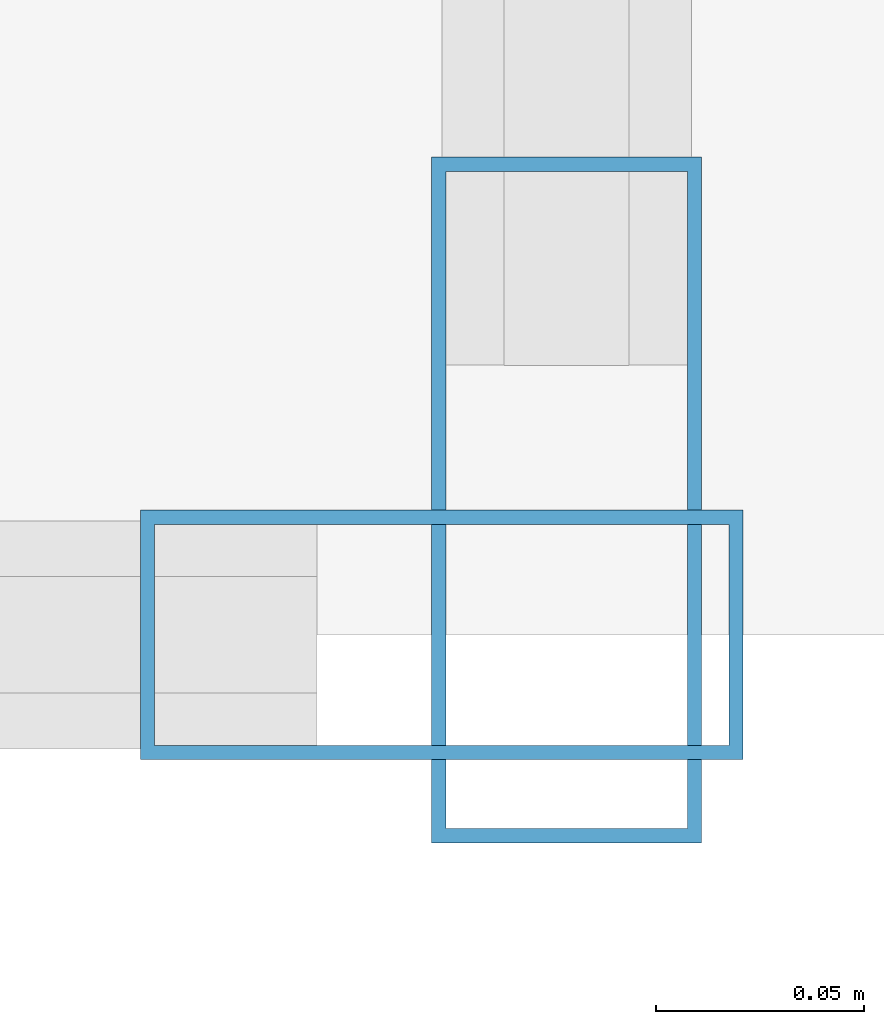
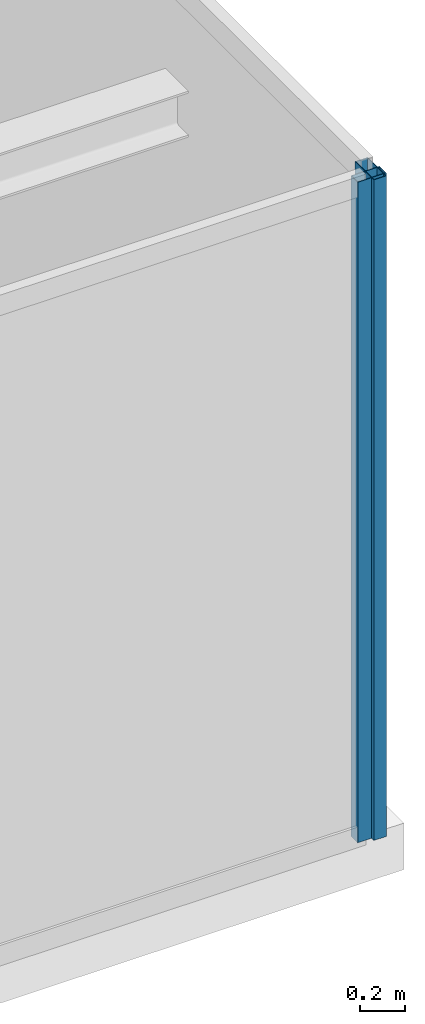
# One storey, part 13 of 25: 2 members, 2 elements without a shape of their own.
"""IFC4 building model written with IfcOpenShell, lengths in metres."""

import ifcopenshell
import ifcopenshell.guid

model = None  # the IFC model being written
_history = None  # IfcOwnerHistory: only IFC2X3 demands one
_inside = {}  # id of a spatial element -> (the spatial element, [elements in it])
_under = {}  # id of a project, library or spatial element -> (it, [spatial elements below it])
_declared = {}  # id of a project -> (the project, [libraries it declares])
_typed = {}  # id of a type object -> (the type object, [elements of that type])
_made_of = {}  # id of a material, layer set ... -> (it, [elements and type objects made of it])


def new_model(schema):
    """Start an empty IFC model of exactly this schema.

    Asked for "IFC4X3", IfcOpenShell would pick the latest addendum, in which some entities
    have other attributes; the version numbers below select the first issue.
    IFC2X3 requires an IfcOwnerHistory on every rooted entity: one is made here for all.
    """
    global model, _history
    if schema == "IFC4X3":
        model = ifcopenshell.file(schema_version=(4, 3, 0, 0))
    else:
        model = ifcopenshell.file(schema=schema)
    _inside.clear()
    _under.clear()
    _declared.clear()
    _typed.clear()
    _made_of.clear()
    _history = None
    if model.schema == "IFC2X3":
        org = make("IfcOrganization", Name="unknown")
        user = make(
            "IfcPersonAndOrganization",
            ThePerson=make("IfcPerson", FamilyName="unknown"),
            TheOrganization=org,
        )
        app = make(
            "IfcApplication",
            ApplicationDeveloper=org,
            Version="unknown",
            ApplicationFullName="unknown",
            ApplicationIdentifier="unknown",
        )
        _history = make(
            "IfcOwnerHistory",
            OwningUser=user,
            OwningApplication=app,
            ChangeAction="ADDED",
            CreationDate=0,
        )
    return model


def make(cls, **values):
    """One entity of the class cls with the attributes given. An attribute that is None is left unset."""
    return model.create_entity(
        cls, **{name: value for name, value in values.items() if value is not None}
    )


def rooted(cls, **values):
    """An entity with a GlobalId (a new one), such as an element, a storey or a relation."""
    return make(cls, GlobalId=ifcopenshell.guid.new(), OwnerHistory=_history, **values)


def si_unit(unit_type, name, prefix=None):
    """IfcSIUnit, for example si_unit("LENGTHUNIT", "METRE", prefix="MILLI")."""
    return make("IfcSIUnit", UnitType=unit_type, Prefix=prefix, Name=name)


def assignment(units):
    """IfcUnitAssignment: the units of a project."""
    return None if units is None else make("IfcUnitAssignment", Units=units)


def point(xyz):
    """IfcCartesianPoint."""
    return None if xyz is None else make("IfcCartesianPoint", Coordinates=xyz)


def direction(xyz):
    """IfcDirection."""
    return None if xyz is None else make("IfcDirection", DirectionRatios=xyz)


def frame(location, z_axis=None, x_axis=None):
    """IfcAxis2Placement3D, a coordinate frame: its origin and axes. An axis left out is left unset."""
    return make(
        "IfcAxis2Placement3D",
        Location=point(location),
        Axis=direction(z_axis),
        RefDirection=direction(x_axis),
    )


def frame_2d(location, x_axis=None):
    """IfcAxis2Placement2D, a coordinate frame in the plane: its origin and x axis."""
    return make(
        "IfcAxis2Placement2D", Location=point(location), RefDirection=direction(x_axis)
    )


def origin():
    """The frame at (0, 0, 0) with its axes left unset."""
    return frame((0.0, 0.0, 0.0))


def origin_2d():
    """The frame at (0, 0) in the plane with its x axis left unset."""
    return frame_2d((0.0, 0.0))


def place(relative_to, where):
    """IfcLocalPlacement: puts the frame where relative to a parent placement (None: the world)."""
    return make(
        "IfcLocalPlacement", PlacementRelTo=relative_to, RelativePlacement=where
    )


def context(
    kind, dimensions, precision=None, world=None, true_north=None, identifier=None
):
    """IfcGeometricRepresentationContext, for example the 3D "Model" context."""
    return make(
        "IfcGeometricRepresentationContext",
        ContextIdentifier=identifier,
        ContextType=kind,
        CoordinateSpaceDimension=dimensions,
        Precision=precision,
        WorldCoordinateSystem=world,
        TrueNorth=true_north,
    )


def subcontext(parent, identifier, kind, view, scale=None):
    """IfcGeometricRepresentationSubContext, for example "Body" below "Model"."""
    return make(
        "IfcGeometricRepresentationSubContext",
        ContextIdentifier=identifier,
        ContextType=kind,
        ParentContext=parent,
        TargetScale=scale,
        TargetView=view,
    )


def project(units=None, contexts=None):
    """IfcProject with its units and contexts."""
    return rooted(
        "IfcProject",
        Name="project",
        RepresentationContexts=contexts,
        UnitsInContext=assignment(units),
    )


def spatial(cls, under=None, at=None, **own):
    """A site, building, storey or space (cls), placed at a placement, below another one or the project."""
    s = rooted(cls, ObjectPlacement=at, **own)
    if under is not None:
        _under.setdefault(under.id(), (under, []))[1].append(s)
    return s


def profile(cls, at=None, kind="AREA", **sizes):
    """A parametric profile (cls). Its sizes go by their IFC names, for example OverallWidth=200.0."""
    return make(cls, ProfileType=kind, Position=at, **sizes)


def hollow_rectangle(**sizes):
    """IfcRectangleHollowProfileDef."""
    return profile("IfcRectangleHollowProfileDef", **sizes)


def extrude(swept, where, along, depth):
    """IfcExtrudedAreaSolid: the profile swept, set in the frame where, extruded along a direction by depth."""
    return make(
        "IfcExtrudedAreaSolid",
        SweptArea=swept,
        Position=where,
        ExtrudedDirection=direction(along),
        Depth=depth,
    )


def shape(context_of_items, identifier, shape_type, items):
    """IfcShapeRepresentation: the items that make up one representation, for example the "Body"."""
    return make(
        "IfcShapeRepresentation",
        ContextOfItems=context_of_items,
        RepresentationIdentifier=identifier,
        RepresentationType=shape_type,
        Items=items,
    )


def source(mapping_origin, context_of_items, identifier, shape_type, items):
    """IfcRepresentationMap: a shape defined once, which mapped items show again and again."""
    return make(
        "IfcRepresentationMap",
        MappingOrigin=mapping_origin,
        MappedRepresentation=shape(context_of_items, identifier, shape_type, items),
    )


def transform(
    local_origin,
    x_axis=None,
    y_axis=None,
    z_axis=None,
    scale=None,
    scale2=None,
    scale3=None,
    uniform=True,
):
    """IfcCartesianTransformationOperator3D, or its non-uniform kind. x_axis, y_axis, z_axis: its Axis1, 2, 3."""
    if uniform:
        return make(
            "IfcCartesianTransformationOperator3D",
            Axis1=direction(x_axis),
            Axis2=direction(y_axis),
            LocalOrigin=point(local_origin),
            Scale=scale,
            Axis3=direction(z_axis),
        )
    return make(
        "IfcCartesianTransformationOperator3DnonUniform",
        Axis1=direction(x_axis),
        Axis2=direction(y_axis),
        LocalOrigin=point(local_origin),
        Scale=scale,
        Axis3=direction(z_axis),
        Scale2=scale2,
        Scale3=scale3,
    )


def mapped(mapping_source, mapping_target):
    """IfcMappedItem: shows the shape of a source again, moved by a transform."""
    return make(
        "IfcMappedItem", MappingSource=mapping_source, MappingTarget=mapping_target
    )


def material(Name=None, Category=None):
    """IfcMaterial."""
    return make("IfcMaterial", Name=Name, Category=Category)


def layer(
    of_material, thickness, ventilated=None, Name=None, Category=None, Priority=None
):
    """IfcMaterialLayer: one layer of a wall or slab, of a material (None: an air gap)."""
    return make(
        "IfcMaterialLayer",
        Material=of_material,
        LayerThickness=thickness,
        IsVentilated=ventilated,
        Name=Name,
        Category=Category,
        Priority=Priority,
    )


def layer_set(layers, Name=None):
    """IfcMaterialLayerSet."""
    return make("IfcMaterialLayerSet", MaterialLayers=layers, LayerSetName=Name)


def material_profile(
    of_material, cross_section, Name=None, Category=None, Priority=None
):
    """IfcMaterialProfile: a cross section and its material."""
    return make(
        "IfcMaterialProfile",
        Name=Name,
        Material=of_material,
        Profile=cross_section,
        Priority=Priority,
        Category=Category,
    )


def profile_set(profiles, Name=None, composite=None):
    """IfcMaterialProfileSet."""
    return make(
        "IfcMaterialProfileSet",
        Name=Name,
        MaterialProfiles=profiles,
        CompositeProfile=composite,
    )


def made_of(thing, what):
    """Note that an element or type object is made of a material, layer set ...; save() writes the relation."""
    if what is not None:
        _made_of.setdefault(what.id(), (what, []))[1].append(thing)
    return thing


def type_object(cls, material=None, **own):
    """A type object (cls), such as IfcWallType, which elements share."""
    return made_of(rooted(cls, **own), material)


def type_shapes(of_type, sources):
    """Give a type object the sources (RepresentationMaps) that its elements show as mapped items."""
    of_type.RepresentationMaps = sources


def element(
    cls,
    number,
    at=None,
    inside=None,
    cuts=None,
    type_object=None,
    material=None,
    context=None,
    identifier="Body",
    shape_type=None,
    held_by="IfcProductDefinitionShape",
    body=None,
    shapes=None,
    **own,
):
    """One element of the class cls, such as IfcWall. Its Tag is "e" and its number.

    at: its placement. inside: the storey or other place that contains it. cuts: it is an
    opening in that element (IfcRelVoidsElement). A single representation is given by context,
    identifier, shape_type and body (its items); several are given by shapes. held_by: the class
    of the entity that holds the representations. save() writes the other relations.
    """
    e = rooted(cls, Tag="e%d" % number, ObjectPlacement=at, **own)
    if body is not None:
        shapes = [shape(context, identifier, shape_type, body)]
    if shapes is not None:
        e.Representation = make(held_by, Representations=shapes)
    if inside is not None:
        _inside.setdefault(inside.id(), (inside, []))[1].append(e)
    if cuts is not None:
        rooted(
            "IfcRelVoidsElement", RelatingBuildingElement=cuts, RelatedOpeningElement=e
        )
    if type_object is not None:
        _typed.setdefault(type_object.id(), (type_object, []))[1].append(e)
    return made_of(e, material)


def aggregate(whole, parts):
    """IfcRelAggregates: a whole, such as a stair, and the parts it consists of."""
    return rooted("IfcRelAggregates", RelatingObject=whole, RelatedObjects=parts)


def save(model, path):
    """Write the relations noted so far, then the file.

    IfcRelAggregates (storeys below a building ...), IfcRelContainedInSpatialStructure (elements
    in a storey), IfcRelDefinesByType, IfcRelAssociatesMaterial and IfcRelDeclares: one each for
    every whole, place, type object, material and project.
    """
    for whole, parts in _under.values():
        aggregate(whole, parts)
    for where, things in _inside.values():
        rooted(
            "IfcRelContainedInSpatialStructure",
            RelatedElements=things,
            RelatingStructure=where,
        )
    for kind, things in _typed.values():
        rooted("IfcRelDefinesByType", RelatedObjects=things, RelatingType=kind)
    for what, things in _made_of.values():
        rooted("IfcRelAssociatesMaterial", RelatedObjects=things, RelatingMaterial=what)
    for by, libraries in _declared.values():
        rooted("IfcRelDeclares", RelatingContext=by, RelatedDefinitions=libraries)
    model.write(path)


model = new_model("IFC4")

# Units and contexts
model_context = context("Model", 3, precision=1e-05, world=origin(), true_north=direction((0.0, 1.0)))
body_context = subcontext(model_context, "Body", "Model", "MODEL_VIEW")
ifc_project = project(units=[si_unit("LENGTHUNIT", "METRE"), si_unit("AREAUNIT", "SQUARE_METRE"), si_unit("VOLUMEUNIT", "CUBIC_METRE"), si_unit("PLANEANGLEUNIT", "RADIAN"), si_unit("MASSUNIT", "GRAM", prefix="KILO")], contexts=[model_context])

# Site, building, storey
site_placement = place(None, origin())
site = spatial("IfcSite", under=ifc_project, at=site_placement, CompositionType="ELEMENT")
building_placement = place(site_placement, origin())
building = spatial("IfcBuilding", under=site, at=building_placement, Name="Varnel Quay Broadcast Tower", CompositionType="ELEMENT")
storey_placement = place(building_placement, frame((0.0, 0.0, 250.800048828125)))
storey = spatial("IfcBuildingStorey", under=building, at=storey_placement, Name="L62", CompositionType="ELEMENT", Elevation=250.800048828125)

# Curtain wall, member
ifc_material = material(Name="Anodised Bronze Aluminium 6063-T6", Category="aluminium")
ifc_layer_1 = layer(ifc_material, 0.18994140625, Name="Anodised Bronze Aluminium 6063-T6")
ifc_layer_set_1 = layer_set([ifc_layer_1], Name="Anodised Bronze Aluminium 6063-T6")
curtain_wall_type_1 = type_object("IfcCurtainWallType", Name="CW_NotchCorner", PredefinedType="NOTDEFINED", material=ifc_layer_set_1)
curtain_wall_1_placement = place(storey_placement, origin())
curtain_wall_1 = element("IfcCurtainWall", 1, at=curtain_wall_1_placement, inside=storey, type_object=curtain_wall_type_1, Name="L62 SE Notch Curtain Wall", PredefinedType="NOTDEFINED")
ifc_material_profile_1 = material_profile(ifc_material, hollow_rectangle(XDim=0.06005859375, YDim=0.14501953125, WallThickness=0.00341796875, at=origin_2d()), Name="ALU60X145X3.5")
ifc_profile_set_1 = profile_set([ifc_material_profile_1], Name="Anodised Bronze Aluminium 6063-T6")
member_type_1 = type_object("IfcMemberType", Name="Mull_CWS-04", PredefinedType="MULLION", material=ifc_profile_set_1)
shared_shape_1 = source(origin(), body_context, "Body", "SweptSolid", [
    extrude(hollow_rectangle(XDim=0.06005859375, YDim=0.14501953125, WallThickness=0.00341796875, at=origin_2d()), origin(), (0.0, 0.0, 1.0), 3.550048828125),
])
type_shapes(member_type_1, [shared_shape_1])
member_1_placement = place(storey_placement, frame((58.320068359375, 13.60009765625, 0.0), z_axis=(0.0, 0.0, 1.0), x_axis=(0.0, 1.0, 0.0)))
member_1 = element("IfcMember", 2, at=member_1_placement, type_object=member_type_1, Name="CWS-04 mullion 2", PredefinedType="MULLION", context=body_context, shape_type="MappedRepresentation", body=[
    mapped(shared_shape_1, transform((0.0, 0.0, 0.0), x_axis=(1.0, 0.0, 0.0), y_axis=(0.0, 1.0, 0.0), z_axis=(0.0, 0.0, 1.0), scale=1.0)),
])
aggregate(curtain_wall_1, [member_1])

ifc_layer_2 = layer(ifc_material, 0.18994140625, Name="Anodised Bronze Aluminium 6063-T6")
ifc_layer_set_2 = layer_set([ifc_layer_2], Name="Anodised Bronze Aluminium 6063-T6")
curtain_wall_type_2 = type_object("IfcCurtainWallType", Name="CW_UpperTower", PredefinedType="NOTDEFINED", material=ifc_layer_set_2)
curtain_wall_2_placement = place(storey_placement, origin())
curtain_wall_2 = element("IfcCurtainWall", 3, at=curtain_wall_2_placement, inside=storey, type_object=curtain_wall_type_2, Name="L62 East Unitised Curtain Wall", PredefinedType="NOTDEFINED")
ifc_material_profile_2 = material_profile(ifc_material, hollow_rectangle(XDim=0.06494140625, YDim=0.1650390625, WallThickness=0.00341796875, at=origin_2d()), Name="ALU65X165X3.5")
ifc_profile_set_2 = profile_set([ifc_material_profile_2], Name="Anodised Bronze Aluminium 6063-T6")
member_type_2 = type_object("IfcMemberType", Name="Mull_CWS-03", PredefinedType="MULLION", material=ifc_profile_set_2)
shared_shape_2 = source(origin(), body_context, "Body", "SweptSolid", [
    extrude(hollow_rectangle(XDim=0.06494140625, YDim=0.1650390625, WallThickness=0.00341796875, at=origin_2d()), origin(), (0.0, 0.0, 1.0), 3.550048828125),
])
type_shapes(member_type_2, [shared_shape_2])
member_2_placement = place(storey_placement, frame((58.35009765625, 13.632568359375, 0.0), z_axis=(0.0, 0.0, 1.0), x_axis=(-1.0, 0.0, 0.0)))
member_2 = element("IfcMember", 4, at=member_2_placement, type_object=member_type_2, Name="CWS-03 mullion 1", PredefinedType="MULLION", context=body_context, shape_type="MappedRepresentation", body=[
    mapped(shared_shape_2, transform((0.0, 0.0, 0.0), x_axis=(1.0, 0.0, 0.0), y_axis=(0.0, 1.0, 0.0), z_axis=(0.0, 0.0, 1.0), scale=1.0)),
])
aggregate(curtain_wall_2, [member_2])

save(model, "model.ifc")
